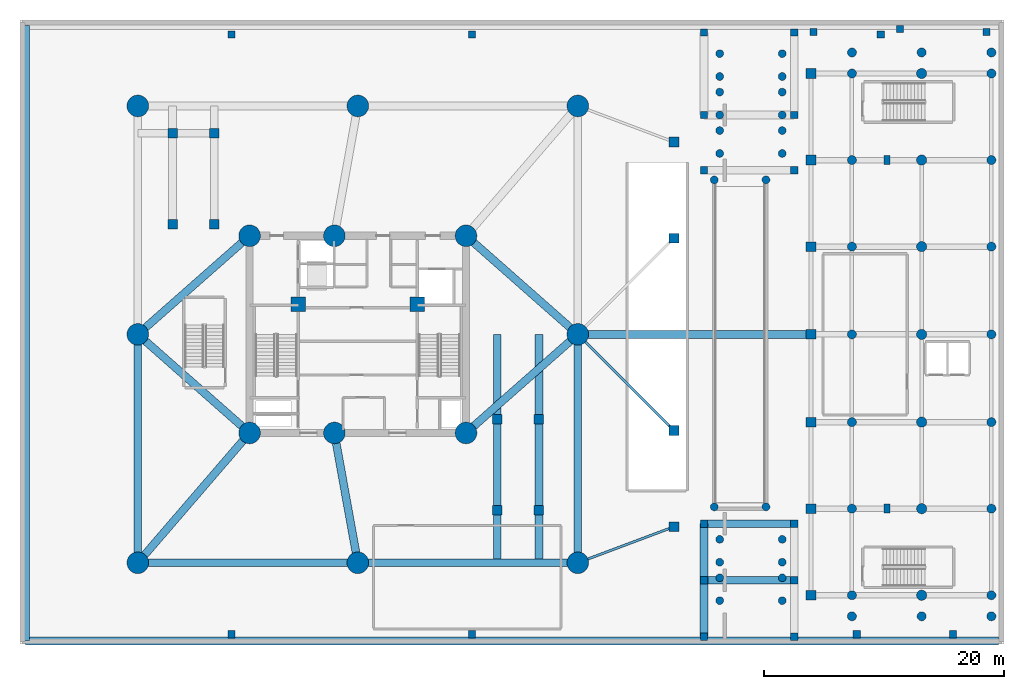
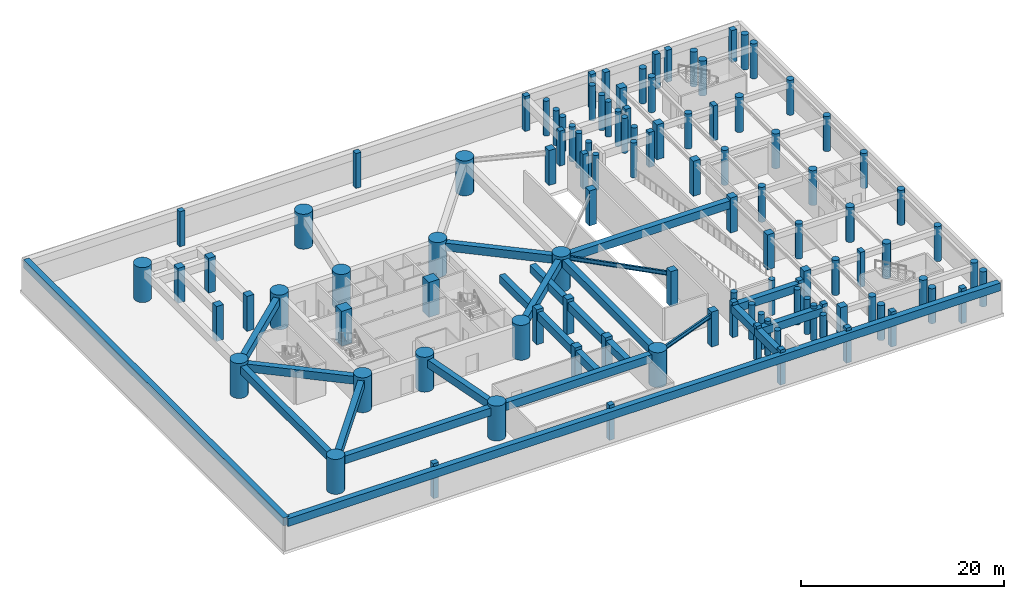
# One storey, part 1 of 11: 110 columns, 21 beams.
"""IFC4 building model written with IfcOpenShell, lengths in metres."""

from ifc_helpers import new_model, si_unit, direction, frame, origin, origin_with_axes, origin_2d, place, context, subcontext, project, spatial, rectangle, circle, i_section, extrude, source, transform, mapped, material, material_profile, profile_set, type_object, element, save


model = new_model("IFC4")

# Units and contexts
model_context = context("Model", 3, precision=1e-05, world=origin(), true_north=direction((0.0, 1.0)))
body_context = subcontext(model_context, "Body", "Model", "MODEL_VIEW")
ifc_project = project(units=[si_unit("LENGTHUNIT", "METRE"), si_unit("AREAUNIT", "SQUARE_METRE"), si_unit("VOLUMEUNIT", "CUBIC_METRE"), si_unit("PLANEANGLEUNIT", "RADIAN"), si_unit("MASSUNIT", "GRAM", prefix="KILO")], contexts=[model_context])

# Site, building, storey
site_placement = place(None, origin())
site = spatial("IfcSite", under=ifc_project, at=site_placement, CompositionType="ELEMENT")
building_placement = place(site_placement, origin())
building = spatial("IfcBuilding", under=site, at=building_placement, Name="Karkom Vertical University and Central Library", CompositionType="ELEMENT")
storey_placement = place(building_placement, frame((0.0, 0.0, -4.199951171875)))
storey = spatial("IfcBuildingStorey", under=building, at=storey_placement, Name="B01", CompositionType="ELEMENT", Elevation=-4.199951171875)

# Columns
ifc_material_1 = material(Name="Concrete C40/50", Category="concrete")
ifc_material_profile_1 = material_profile(ifc_material_1, circle(Radius=0.324951171875, at=origin_2d()), Name="RC-D650")
ifc_profile_set_1 = profile_set([ifc_material_profile_1], Name="Concrete C40/50")
column_type_1 = type_object("IfcColumnType", Name="STR-COL-C-LB3", PredefinedType="COLUMN", material=ifc_profile_set_1)
shared_shape_1 = source(origin_with_axes(), body_context, "Body", "SweptSolid", [
    extrude(circle(Radius=0.324951171875, at=origin_2d()), origin(), (0.0, 0.0, 1.0), 4.199951171875),
])
for number, where, z_axis, x_axis, name in (
    (1, (58.60009765625, 4.35009765625, 0.0), (0.0, 0.0, 1.0), (1.0, 0.0, 0.0), "Basement 01 Plaza Canopy Column 1"),
    (2, (58.60009765625, 6.25, 0.0), (0.0, 0.0, 1.0), (1.0, 0.0, 0.0), "Basement 01 Plaza Canopy Column 1"),
    (3, (63.800048828125, 4.35009765625, 0.0), (0.0, 0.0, 1.0), (1.0, 0.0, 0.0), "Basement 01 Plaza Canopy Column 1"),
    (4, (63.800048828125, 6.25, 0.0), (0.0, 0.0, 1.0), (1.0, 0.0, 0.0), "Basement 01 Plaza Canopy Column 1"),
    (5, (58.60009765625, 7.550048828125, 0.0), (0.0, 0.0, 1.0), (1.0, 0.0, 0.0), "Basement 01 Plaza Canopy Column 2"),
    (6, (58.60009765625, 9.449951171875, 0.0), (0.0, 0.0, 1.0), (1.0, 0.0, 0.0), "Basement 01 Plaza Canopy Column 2"),
    (7, (63.800048828125, 7.550048828125, 0.0), (0.0, 0.0, 1.0), (1.0, 0.0, 0.0), "Basement 01 Plaza Canopy Column 2"),
    (8, (63.800048828125, 9.449951171875, 0.0), (0.0, 0.0, 1.0), (1.0, 0.0, 0.0), "Basement 01 Plaza Canopy Column 2"),
    (9, (58.60009765625, 41.550048828125, 0.0), (0.0, 0.0, 1.0), (1.0, 0.0, 0.0), "Basement 01 Plaza Canopy Column 3"),
    (10, (58.60009765625, 43.449951171875, 0.0), (0.0, 0.0, 1.0), (1.0, 0.0, 0.0), "Basement 01 Plaza Canopy Column 3"),
    (11, (63.800048828125, 41.550048828125, 0.0), (0.0, 0.0, 1.0), (1.0, 0.0, 0.0), "Basement 01 Plaza Canopy Column 3"),
    (12, (63.800048828125, 43.449951171875, 0.0), (0.0, 0.0, 1.0), (1.0, 0.0, 0.0), "Basement 01 Plaza Canopy Column 3"),
    (13, (58.60009765625, 44.75, 0.0), (0.0, 0.0, 1.0), (1.0, 0.0, 0.0), "Basement 01 Plaza Canopy Column 4"),
    (14, (58.60009765625, 46.64990234375, 0.0), (0.0, 0.0, 1.0), (1.0, 0.0, 0.0), "Basement 01 Plaza Canopy Column 4"),
    (15, (63.800048828125, 44.75, 0.0), (0.0, 0.0, 1.0), (1.0, 0.0, 0.0), "Basement 01 Plaza Canopy Column 4"),
    (16, (63.800048828125, 46.64990234375, 0.0), (0.0, 0.0, 1.0), (1.0, 0.0, 0.0), "Basement 01 Plaza Canopy Column 4"),
    (17, (58.60009765625, 47.949951171875, 0.0), (0.0, 0.0, 1.0), (1.0, 0.0, 0.0), "Basement 01 Plaza Canopy Column 5"),
    (18, (58.60009765625, 49.85009765625, 0.0), (0.0, 0.0, 1.0), (1.0, 0.0, 0.0), "Basement 01 Plaza Canopy Column 5"),
    (19, (63.800048828125, 47.949951171875, 0.0), (0.0, 0.0, 1.0), (1.0, 0.0, 0.0), "Basement 01 Plaza Canopy Column 5"),
    (20, (63.800048828125, 49.85009765625, 0.0), (0.0, 0.0, 1.0), (1.0, 0.0, 0.0), "Basement 01 Plaza Canopy Column 5"),
    (21, (58.14990234375, 12.14990234375, 0.0), (0.0, 0.0, 1.0), (1.0, 0.0, 0.0), "Basement 01 Ramp Pavilion Support Column 1"),
    (22, (62.449951171875, 12.14990234375, 0.0), (0.0, 0.0, 1.0), (1.0, 0.0, 0.0), "Basement 01 Ramp Pavilion Support Column 2"),
    (23, (62.449951171875, 39.35009765625, 0.0), (0.0, 0.0, 1.0), (1.0, 0.0, 0.0), "Basement 01 Ramp Pavilion Support Column 3"),
    (24, (58.14990234375, 39.35009765625, 0.0), (0.0, 0.0, 1.0), (1.0, 0.0, 0.0), "Basement 01 Ramp Pavilion Support Column 4"),
):
    element("IfcColumn", number, at=place(storey_placement, frame(where, z_axis=z_axis, x_axis=x_axis)), inside=storey, type_object=column_type_1, Name=name, PredefinedType="COLUMN", context=body_context, shape_type="MappedRepresentation", body=[
        mapped(shared_shape_1, transform((0.0, 0.0, 0.0), scale=1.0)),
    ])
ifc_material_profile_2 = material_profile(ifc_material_1, circle(Radius=0.375, at=origin_2d()), Name="RC-D750")
ifc_profile_set_2 = profile_set([ifc_material_profile_2], Name="Concrete C40/50")
column_type_2 = type_object("IfcColumnType", Name="STR-COL-C-LB2", PredefinedType="COLUMN", material=ifc_profile_set_2)
shared_shape_2 = source(origin_with_axes(), body_context, "Body", "SweptSolid", [
    extrude(circle(Radius=0.375, at=origin_2d()), origin(), (0.0, 0.0, 1.0), 4.199951171875),
])
for number, where, z_axis, x_axis, name in (
    (25, (69.60009765625, 3.050048828125, 0.0), (0.0, 0.0, 1.0), (1.0, 0.0, 0.0), "Basement 01 Library Vault End Column"),
    (26, (69.60009765625, 49.949951171875, 0.0), (0.0, 0.0, 1.0), (1.0, 0.0, 0.0), "Basement 01 Library Vault End Column"),
    (27, (75.39990234375, 3.050048828125, 0.0), (0.0, 0.0, 1.0), (1.0, 0.0, 0.0), "Basement 01 Library Vault End Column"),
    (28, (75.39990234375, 49.949951171875, 0.0), (0.0, 0.0, 1.0), (1.0, 0.0, 0.0), "Basement 01 Library Vault End Column"),
    (29, (81.199951171875, 3.050048828125, 0.0), (0.0, 0.0, 1.0), (1.0, 0.0, 0.0), "Basement 01 Library Vault End Column"),
    (30, (81.199951171875, 49.949951171875, 0.0), (0.0, 0.0, 1.0), (1.0, 0.0, 0.0), "Basement 01 Library Vault End Column"),
    (31, (69.60009765625, 4.800048828125, 0.0), (0.0, 0.0, 1.0), (1.0, 0.0, 0.0), "Basement 01 Central Library Column LC-1-1"),
    (32, (69.60009765625, 12.0, 0.0), (0.0, 0.0, 1.0), (1.0, 0.0, 0.0), "Basement 01 Central Library Column LC-1-2"),
    (33, (69.60009765625, 19.199951171875, 0.0), (0.0, 0.0, 1.0), (1.0, 0.0, 0.0), "Basement 01 Central Library Column LC-1-3"),
    (34, (69.60009765625, 26.5, 0.0), (0.0, 0.0, 1.0), (1.0, 0.0, 0.0), "Basement 01 Central Library Column LC-1-4"),
    (35, (69.60009765625, 33.800048828125, 0.0), (0.0, 0.0, 1.0), (1.0, 0.0, 0.0), "Basement 01 Central Library Column LC-1-5"),
    (36, (69.60009765625, 41.0, 0.0), (0.0, 0.0, 1.0), (1.0, 0.0, 0.0), "Basement 01 Central Library Column LC-1-6"),
    (37, (69.60009765625, 48.199951171875, 0.0), (0.0, 0.0, 1.0), (1.0, 0.0, 0.0), "Basement 01 Central Library Column LC-1-7"),
    (38, (81.199951171875, 4.800048828125, 0.0), (0.0, 0.0, 1.0), (1.0, 0.0, 0.0), "Basement 01 Central Library Column LC-3-1"),
    (39, (81.199951171875, 12.0, 0.0), (0.0, 0.0, 1.0), (1.0, 0.0, 0.0), "Basement 01 Central Library Column LC-3-2"),
    (40, (81.199951171875, 19.199951171875, 0.0), (0.0, 0.0, 1.0), (1.0, 0.0, 0.0), "Basement 01 Central Library Column LC-3-3"),
    (41, (81.199951171875, 26.5, 0.0), (0.0, 0.0, 1.0), (1.0, 0.0, 0.0), "Basement 01 Central Library Column LC-3-4"),
    (42, (81.199951171875, 33.800048828125, 0.0), (0.0, 0.0, 1.0), (1.0, 0.0, 0.0), "Basement 01 Central Library Column LC-3-5"),
    (43, (81.199951171875, 41.0, 0.0), (0.0, 0.0, 1.0), (1.0, 0.0, 0.0), "Basement 01 Central Library Column LC-3-6"),
    (44, (81.199951171875, 48.199951171875, 0.0), (0.0, 0.0, 1.0), (1.0, 0.0, 0.0), "Basement 01 Central Library Column LC-3-7"),
):
    element("IfcColumn", number, at=place(storey_placement, frame(where, z_axis=z_axis, x_axis=x_axis)), inside=storey, type_object=column_type_2, Name=name, PredefinedType="COLUMN", context=body_context, shape_type="MappedRepresentation", body=[
        mapped(shared_shape_2, transform((0.0, 0.0, 0.0), scale=1.0)),
    ])
ifc_material_2 = material(Name="Concrete C45/55", Category="concrete")
ifc_material_profile_3 = material_profile(ifc_material_2, rectangle(XDim=0.800048828125, YDim=0.800048828125, at=origin_2d()), Name="RC-800x800")
ifc_profile_set_3 = profile_set([ifc_material_profile_3], Name="Concrete C45/55")
column_type_3 = type_object("IfcColumnType", Name="STR-COL-C-LC1", PredefinedType="COLUMN", material=ifc_profile_set_3)
shared_shape_3 = source(origin_with_axes(), body_context, "Body", "SweptSolid", [
    extrude(rectangle(XDim=0.800048828125, YDim=0.800048828125, at=origin_2d()), origin(), (0.0, 0.0, 1.0), 4.199951171875),
])
for number, where, z_axis, x_axis, name in (
    (45, (40.094970703125, 11.875, 0.0), (0.0, 0.0, 1.0), (1.0, 0.0, 0.0), "Basement 01 Podium Stairwell Support Column"),
    (46, (43.56494140625, 11.875, 0.0), (0.0, 0.0, 1.0), (1.0, 0.0, 0.0), "Basement 01 Podium Stairwell Support Column"),
    (47, (40.094970703125, 19.43505859375, 0.0), (0.0, 0.0, 1.0), (1.0, 0.0, 0.0), "Basement 01 Podium Stairwell Support Column"),
    (48, (43.56494140625, 19.43505859375, 0.0), (0.0, 0.0, 1.0), (1.0, 0.0, 0.0), "Basement 01 Podium Stairwell Support Column"),
    (49, (13.094970703125, 35.675048828125, 0.0), (0.0, 0.0, 1.0), (1.0, 0.0, 0.0), "Basement 01 Podium Stairwell Support Column"),
    (50, (16.56494140625, 35.675048828125, 0.0), (0.0, 0.0, 1.0), (1.0, 0.0, 0.0), "Basement 01 Podium Stairwell Support Column"),
    (51, (13.094970703125, 43.235107421875, 0.0), (0.0, 0.0, 1.0), (1.0, 0.0, 0.0), "Basement 01 Podium Stairwell Support Column"),
    (52, (16.56494140625, 43.235107421875, 0.0), (0.0, 0.0, 1.0), (1.0, 0.0, 0.0), "Basement 01 Podium Stairwell Support Column"),
    (53, (54.800048828125, 10.5, 0.0), (0.0, 0.0, 1.0), (1.0, 0.0, 0.0), "Basement 01 Podium Arcade Pilaster PIL-1"),
    (54, (54.800048828125, 18.5, 0.0), (0.0, 0.0, 1.0), (1.0, 0.0, 0.0), "Basement 01 Podium Arcade Pilaster PIL-2"),
    (55, (54.800048828125, 34.5, 0.0), (0.0, 0.0, 1.0), (1.0, 0.0, 0.0), "Basement 01 Podium Arcade Pilaster PIL-3"),
    (56, (54.800048828125, 42.5, 0.0), (0.0, 0.0, 1.0), (1.0, 0.0, 0.0), "Basement 01 Podium Arcade Pilaster PIL-4"),
    (57, (66.199951171875, 4.800048828125, 0.0), (0.0, 0.0, 1.0), (1.0, 0.0, 0.0), "Basement 01 Central Library Column LC-0-1"),
    (58, (66.199951171875, 12.0, 0.0), (0.0, 0.0, 1.0), (1.0, 0.0, 0.0), "Basement 01 Central Library Column LC-0-2"),
    (59, (66.199951171875, 19.199951171875, 0.0), (0.0, 0.0, 1.0), (1.0, 0.0, 0.0), "Basement 01 Central Library Column LC-0-3"),
    (60, (66.199951171875, 26.5, 0.0), (0.0, 0.0, 1.0), (1.0, 0.0, 0.0), "Basement 01 Central Library Column LC-0-4"),
    (61, (66.199951171875, 33.800048828125, 0.0), (0.0, 0.0, 1.0), (1.0, 0.0, 0.0), "Basement 01 Central Library Column LC-0-5"),
    (62, (66.199951171875, 41.0, 0.0), (0.0, 0.0, 1.0), (1.0, 0.0, 0.0), "Basement 01 Central Library Column LC-0-6"),
    (63, (66.199951171875, 48.199951171875, 0.0), (0.0, 0.0, 1.0), (1.0, 0.0, 0.0), "Basement 01 Central Library Column LC-0-7"),
):
    element("IfcColumn", number, at=place(storey_placement, frame(where, z_axis=z_axis, x_axis=x_axis)), inside=storey, type_object=column_type_3, Name=name, PredefinedType="COLUMN", context=body_context, shape_type="MappedRepresentation", body=[
        mapped(shared_shape_3, transform((0.0, 0.0, 0.0), scale=1.0)),
    ])
ifc_material_profile_4 = material_profile(ifc_material_1, rectangle(XDim=0.60009765625, YDim=0.60009765625, at=origin_2d()), Name="RC-600x600")
ifc_profile_set_4 = profile_set([ifc_material_profile_4], Name="Concrete C40/50")
column_type_4 = type_object("IfcColumnType", Name="STR-COL-C-LC2", PredefinedType="COLUMN", material=ifc_profile_set_4)
shared_shape_4 = source(origin_with_axes(), body_context, "Body", "SweptSolid", [
    extrude(rectangle(XDim=0.60009765625, YDim=0.60009765625, at=origin_2d()), origin(), (0.0, 0.0, 1.0), 4.199951171875),
])
for number, where, z_axis, x_axis, name in (
    (64, (18.0, 1.550048828125, 0.0), (0.0, 0.0, 1.0), (1.0, 0.0, 0.0), "Basement 01 Forecourt Promenade Support Column"),
    (65, (38.0, 1.550048828125, 0.0), (0.0, 0.0, 1.0), (1.0, 0.0, 0.0), "Basement 01 Forecourt Promenade Support Column"),
    (66, (70.0, 1.550048828125, 0.0), (0.0, 0.0, 1.0), (1.0, 0.0, 0.0), "Basement 01 Forecourt Promenade Support Column"),
    (67, (78.0, 1.550048828125, 0.0), (0.0, 0.0, 1.0), (1.0, 0.0, 0.0), "Basement 01 Forecourt Promenade Support Column"),
    (68, (18.0, 51.449951171875, 0.0), (0.0, 0.0, 1.0), (1.0, 0.0, 0.0), "Basement 01 Forecourt Promenade Support Column"),
    (69, (38.0, 51.449951171875, 0.0), (0.0, 0.0, 1.0), (1.0, 0.0, 0.0), "Basement 01 Forecourt Promenade Support Column"),
    (70, (72.0, 51.449951171875, 0.0), (0.0, 0.0, 1.0), (1.0, 0.0, 0.0), "Basement 01 Forecourt Promenade Support Column"),
    (71, (57.300048828125, 1.35009765625, 0.0), (0.0, 0.0, 1.0), (1.0, 0.0, 0.0), "Basement 01 Forecourt Substructure Column"),
    (72, (57.300048828125, 6.050048828125, 0.0), (0.0, 0.0, 1.0), (1.0, 0.0, 0.0), "Basement 01 Forecourt Substructure Column"),
    (73, (57.300048828125, 10.75, 0.0), (0.0, 0.0, 1.0), (1.0, 0.0, 0.0), "Basement 01 Forecourt Substructure Column"),
    (74, (57.300048828125, 40.14990234375, 0.0), (0.0, 0.0, 1.0), (1.0, 0.0, 0.0), "Basement 01 Forecourt Substructure Column"),
    (75, (57.300048828125, 44.75, 0.0), (0.0, 0.0, 1.0), (1.0, 0.0, 0.0), "Basement 01 Forecourt Substructure Column"),
    (76, (57.300048828125, 51.60009765625, 0.0), (0.0, 0.0, 1.0), (1.0, 0.0, 0.0), "Basement 01 Forecourt Substructure Column"),
    (77, (64.800048828125, 1.35009765625, 0.0), (0.0, 0.0, 1.0), (1.0, 0.0, 0.0), "Basement 01 Forecourt Substructure Column"),
    (78, (64.800048828125, 6.050048828125, 0.0), (0.0, 0.0, 1.0), (1.0, 0.0, 0.0), "Basement 01 Forecourt Substructure Column"),
    (79, (64.800048828125, 10.75, 0.0), (0.0, 0.0, 1.0), (1.0, 0.0, 0.0), "Basement 01 Forecourt Substructure Column"),
    (80, (64.800048828125, 40.14990234375, 0.0), (0.0, 0.0, 1.0), (1.0, 0.0, 0.0), "Basement 01 Forecourt Substructure Column"),
    (81, (64.800048828125, 44.75, 0.0), (0.0, 0.0, 1.0), (1.0, 0.0, 0.0), "Basement 01 Forecourt Substructure Column"),
    (82, (64.800048828125, 51.60009765625, 0.0), (0.0, 0.0, 1.0), (1.0, 0.0, 0.0), "Basement 01 Forecourt Substructure Column"),
):
    element("IfcColumn", number, at=place(storey_placement, frame(where, z_axis=z_axis, x_axis=x_axis)), inside=storey, type_object=column_type_4, Name=name, PredefinedType="COLUMN", context=body_context, shape_type="MappedRepresentation", body=[
        mapped(shared_shape_4, transform((0.0, 0.0, 0.0), scale=1.0)),
    ])
ifc_material_3 = material(Name="Concrete C50/60", Category="concrete")
ifc_material_profile_5 = material_profile(ifc_material_3, circle(Radius=0.89990234375, at=origin_2d()), Name="CFT-D1800")
ifc_profile_set_5 = profile_set([ifc_material_profile_5], Name="Concrete C50/60")
column_type_5 = type_object("IfcColumnType", Name="STR-COL-C-SC1", PredefinedType="COLUMN", material=ifc_profile_set_5)
shared_shape_5 = source(origin_with_axes(), body_context, "Body", "SweptSolid", [
    extrude(circle(Radius=0.89990234375, at=origin_2d()), origin(), (0.0, 0.0, 1.0), 4.199951171875),
])
for number, where, z_axis, x_axis, name in (
    (83, (19.5, 18.300048828125, 0.0), (0.0, 0.0, 1.0), (1.0, 0.0, 0.0), "Basement 01 Spine Mega-Column SC-1"),
    (84, (26.550048828125, 18.300048828125, 0.0), (0.0, 0.0, 1.0), (1.0, 0.0, 0.0), "Basement 01 Spine Mega-Column SC-2"),
    (85, (37.5, 18.300048828125, 0.0), (0.0, 0.0, 1.0), (1.0, 0.0, 0.0), "Basement 01 Spine Mega-Column SC-3"),
    (86, (19.5, 34.699951171875, 0.0), (0.0, 0.0, 1.0), (1.0, 0.0, 0.0), "Basement 01 Spine Mega-Column SC-4"),
    (87, (26.550048828125, 34.699951171875, 0.0), (0.0, 0.0, 1.0), (1.0, 0.0, 0.0), "Basement 01 Spine Mega-Column SC-5"),
    (88, (37.5, 34.699951171875, 0.0), (0.0, 0.0, 1.0), (1.0, 0.0, 0.0), "Basement 01 Spine Mega-Column SC-6"),
    (89, (10.199951171875, 7.5, 0.0), (0.0, 0.0, 1.0), (1.0, 0.0, 0.0), "Basement 01 Podium Mega-Column PMC-1"),
    (90, (28.5, 7.5, 0.0), (0.0, 0.0, 1.0), (1.0, 0.0, 0.0), "Basement 01 Podium Mega-Column PMC-2"),
    (91, (46.800048828125, 7.5, 0.0), (0.0, 0.0, 1.0), (1.0, 0.0, 0.0), "Basement 01 Podium Mega-Column PMC-3"),
    (92, (10.199951171875, 26.5, 0.0), (0.0, 0.0, 1.0), (1.0, 0.0, 0.0), "Basement 01 Podium Mega-Column PMC-4"),
    (93, (46.800048828125, 26.5, 0.0), (0.0, 0.0, 1.0), (1.0, 0.0, 0.0), "Basement 01 Podium Mega-Column PMC-5"),
    (94, (10.199951171875, 45.5, 0.0), (0.0, 0.0, 1.0), (1.0, 0.0, 0.0), "Basement 01 Podium Mega-Column PMC-6"),
    (95, (28.5, 45.5, 0.0), (0.0, 0.0, 1.0), (1.0, 0.0, 0.0), "Basement 01 Podium Mega-Column PMC-7"),
    (96, (46.800048828125, 45.5, 0.0), (0.0, 0.0, 1.0), (1.0, 0.0, 0.0), "Basement 01 Podium Mega-Column PMC-8"),
):
    element("IfcColumn", number, at=place(storey_placement, frame(where, z_axis=z_axis, x_axis=x_axis)), inside=storey, type_object=column_type_5, Name=name, PredefinedType="COLUMN", context=body_context, shape_type="MappedRepresentation", body=[
        mapped(shared_shape_5, transform((0.0, 0.0, 0.0), scale=1.0)),
    ])
ifc_material_profile_6 = material_profile(ifc_material_3, rectangle(XDim=1.199951171875, YDim=1.199951171875, at=origin_2d()), Name="RC-1200x1200")
ifc_profile_set_6 = profile_set([ifc_material_profile_6], Name="Concrete C50/60")
column_type_6 = type_object("IfcColumnType", Name="STR-COL-C-CC1", PredefinedType="COLUMN", material=ifc_profile_set_6)
shared_shape_6 = source(origin_with_axes(), body_context, "Body", "SweptSolid", [
    extrude(rectangle(XDim=1.199951171875, YDim=1.199951171875, at=origin_2d()), origin(), (0.0, 0.0, 1.0), 4.199951171875),
])
for number, where, z_axis, x_axis, name in (
    (97, (23.550048828125, 29.0, 0.0), (0.0, 0.0, 1.0), (1.0, 0.0, 0.0), "Basement 01 Core Node Column CC-1"),
    (98, (33.449951171875, 29.0, 0.0), (0.0, 0.0, 1.0), (1.0, 0.0, 0.0), "Basement 01 Core Node Column CC-2"),
):
    element("IfcColumn", number, at=place(storey_placement, frame(where, z_axis=z_axis, x_axis=x_axis)), inside=storey, type_object=column_type_6, Name=name, PredefinedType="COLUMN", context=body_context, shape_type="MappedRepresentation", body=[
        mapped(shared_shape_6, transform((0.0, 0.0, 0.0), scale=1.0)),
    ])
ifc_material_profile_7 = material_profile(ifc_material_2, circle(Radius=0.425048828125, at=origin_2d()), Name="RC-D850")
ifc_profile_set_7 = profile_set([ifc_material_profile_7], Name="Concrete C45/55")
column_type_7 = type_object("IfcColumnType", Name="STR-COL-C-LB1", PredefinedType="COLUMN", material=ifc_profile_set_7)
shared_shape_7 = source(origin_with_axes(), body_context, "Body", "SweptSolid", [
    extrude(circle(Radius=0.425048828125, at=origin_2d()), origin(), (0.0, 0.0, 1.0), 4.199951171875),
])
for number, where, z_axis, x_axis, name in (
    (99, (75.39990234375, 4.800048828125, 0.0), (0.0, 0.0, 1.0), (1.0, 0.0, 0.0), "Basement 01 Central Library Column LC-2-1"),
    (100, (75.39990234375, 12.0, 0.0), (0.0, 0.0, 1.0), (1.0, 0.0, 0.0), "Basement 01 Central Library Column LC-2-2"),
    (101, (75.39990234375, 19.199951171875, 0.0), (0.0, 0.0, 1.0), (1.0, 0.0, 0.0), "Basement 01 Central Library Column LC-2-3"),
    (102, (75.39990234375, 26.5, 0.0), (0.0, 0.0, 1.0), (1.0, 0.0, 0.0), "Basement 01 Central Library Column LC-2-4"),
    (103, (75.39990234375, 33.800048828125, 0.0), (0.0, 0.0, 1.0), (1.0, 0.0, 0.0), "Basement 01 Central Library Column LC-2-5"),
    (104, (75.39990234375, 41.0, 0.0), (0.0, 0.0, 1.0), (1.0, 0.0, 0.0), "Basement 01 Central Library Column LC-2-6"),
    (105, (75.39990234375, 48.199951171875, 0.0), (0.0, 0.0, 1.0), (1.0, 0.0, 0.0), "Basement 01 Central Library Column LC-2-7"),
):
    element("IfcColumn", number, at=place(storey_placement, frame(where, z_axis=z_axis, x_axis=x_axis)), inside=storey, type_object=column_type_7, Name=name, PredefinedType="COLUMN", context=body_context, shape_type="MappedRepresentation", body=[
        mapped(shared_shape_7, transform((0.0, 0.0, 0.0), scale=1.0)),
    ])
ifc_material_4 = material(Name="Precast concrete C45/55", Category="concrete")
ifc_material_profile_8 = material_profile(ifc_material_4, rectangle(XDim=0.5, YDim=0.75, at=origin_2d()), Name="PIL-500x750")
ifc_profile_set_8 = profile_set([ifc_material_profile_8], Name="Precast concrete C45/55")
column_type_8 = type_object("IfcColumnType", Name="STR-COL-PL-SKG1", PredefinedType="PILASTER", material=ifc_profile_set_8)
shared_shape_8 = source(origin_with_axes(), body_context, "Body", "SweptSolid", [
    extrude(rectangle(XDim=0.5, YDim=0.75, at=origin_2d()), origin(), (0.0, 0.0, 1.0), 4.199951171875),
])
for number, where, z_axis, x_axis, name in (
    (106, (72.5, 12.0, 0.0), (0.0, 0.0, 1.0), (1.0, 0.0, 0.0), "Basement 01 Library Reading Hall Pier Pilaster 1"),
    (107, (72.5, 41.0, 0.0), (0.0, 0.0, 1.0), (1.0, 0.0, 0.0), "Basement 01 Library Reading Hall Pier Pilaster 2"),
):
    element("IfcColumn", number, at=place(storey_placement, frame(where, z_axis=z_axis, x_axis=x_axis)), inside=storey, type_object=column_type_8, Name=name, PredefinedType="PILASTER", context=body_context, shape_type="MappedRepresentation", body=[
        mapped(shared_shape_8, transform((0.0, 0.0, 0.0), scale=1.0)),
    ])
shared_shape_9 = source(origin_with_axes(), body_context, "Body", "SweptSolid", [
    extrude(rectangle(XDim=0.60009765625, YDim=0.60009765625, at=origin_2d()), origin(), (0.0, 0.0, 1.0), 3.85986328125),
])
for number, where, z_axis, x_axis, name in (
    (108, (66.39990234375, 51.64990234375, 0.0), (0.0, 0.0, 1.0), (1.0, 0.0, 0.0), "Basement 01 North Library Forecourt Pier 1"),
    (109, (73.60009765625, 51.89990234375, 0.0), (0.0, 0.0, 1.0), (1.0, 0.0, 0.0), "Basement 01 North Library Forecourt Pier 2"),
    (110, (80.800048828125, 51.64990234375, 0.0), (0.0, 0.0, 1.0), (1.0, 0.0, 0.0), "Basement 01 North Library Forecourt Pier 3"),
):
    element("IfcColumn", number, at=place(storey_placement, frame(where, z_axis=z_axis, x_axis=x_axis)), inside=storey, type_object=column_type_4, Name=name, PredefinedType="COLUMN", context=body_context, shape_type="MappedRepresentation", body=[
        mapped(shared_shape_9, transform((0.0, 0.0, 0.0), scale=1.0)),
    ])

# Beams
ifc_material_profile_9 = material_profile(ifc_material_3, rectangle(XDim=0.64990234375, YDim=0.949951171875, at=origin_2d()), Name="RCG-650x950")
ifc_profile_set_9 = profile_set([ifc_material_profile_9], Name="Concrete C50/60")
beam_type_1 = type_object("IfcBeamType", Name="STR-BM-BG-1", PredefinedType="USERDEFINED", material=ifc_profile_set_9)
shared_shape_10 = source(origin_with_axes(), body_context, "Body", "SweptSolid", [
    extrude(rectangle(XDim=0.64990234375, YDim=0.949951171875, at=origin_2d()), origin(), (0.0, 0.0, 1.0), 18.300048828125),
])
for number, where, z_axis, x_axis, name in (
    (111, (10.199951171875, 7.5, 3.375), (1.0, 0.0, 0.0), (0.0, 1.0, 0.0), "Basement 01 Podium Primary Girder 01"),
    (112, (28.5, 7.5, 3.375), (1.0, 0.0, 0.0), (0.0, 1.0, 0.0), "Basement 01 Podium Primary Girder 02"),
):
    element("IfcBeam", number, at=place(storey_placement, frame(where, z_axis=z_axis, x_axis=x_axis)), inside=storey, type_object=beam_type_1, Name=name, ObjectType="GIRDER", PredefinedType="USERDEFINED", context=body_context, shape_type="MappedRepresentation", body=[
        mapped(shared_shape_10, transform((0.0, 0.0, 0.0), scale=1.0)),
    ])
shared_shape_11 = source(origin_with_axes(), body_context, "Body", "SweptSolid", [
    extrude(rectangle(XDim=0.64990234375, YDim=0.949951171875, at=origin_2d()), origin(), (0.0, 0.0, 1.0), 19.0),
])
for number, where, z_axis, x_axis, name in (
    (113, (10.199951171875, 7.5, 3.375), (0.0, 1.0, 0.0), (-1.0, 0.0, 0.0), "Basement 01 Podium Primary Girder 03"),
    (114, (46.800048828125, 7.5, 3.375), (0.0, 1.0, 0.0), (-1.0, 0.0, 0.0), "Basement 01 Podium Primary Girder 05"),
    (115, (40.094970703125, 7.5, 3.375), (0.0, 1.0, 0.0), (-1.0, 0.0, 0.0), "Basement 01 Podium Stair POD1 West Transfer Girder"),
    (116, (43.56494140625, 7.5, 3.375), (0.0, 1.0, 0.0), (-1.0, 0.0, 0.0), "Basement 01 Podium Stair POD1 East Transfer Girder"),
):
    element("IfcBeam", number, at=place(storey_placement, frame(where, z_axis=z_axis, x_axis=x_axis)), inside=storey, type_object=beam_type_1, Name=name, ObjectType="GIRDER", PredefinedType="USERDEFINED", context=body_context, shape_type="MappedRepresentation", body=[
        mapped(shared_shape_11, transform((0.0, 0.0, 0.0), scale=1.0)),
    ])
shared_shape_12 = source(origin_with_axes(), body_context, "Body", "SweptSolid", [
    extrude(rectangle(XDim=0.64990234375, YDim=0.949951171875, at=origin_2d()), origin(), (0.0, 0.0, 1.0), 14.25244140625),
])
beam_1_placement = place(storey_placement, frame((10.199951171875, 7.5, 3.375), z_axis=(0.652523408586, 0.757768567076, 0.0), x_axis=(-0.757768567076, 0.652523408586, 0.0)))
element("IfcBeam", 117, at=beam_1_placement, inside=storey, type_object=beam_type_1, Name="Basement 01 Podium Primary Girder 09", ObjectType="GIRDER", PredefinedType="USERDEFINED", context=body_context, shape_type="MappedRepresentation", body=[
    mapped(shared_shape_12, transform((0.0, 0.0, 0.0), scale=1.0)),
])
shared_shape_13 = source(origin_with_axes(), body_context, "Body", "SweptSolid", [
    extrude(rectangle(XDim=0.64990234375, YDim=0.949951171875, at=origin_2d()), origin(), (0.0, 0.0, 1.0), 10.974609375),
])
beam_2_placement = place(storey_placement, frame((28.5, 7.5, 3.375), z_axis=(-0.177677443813, 0.984088779511, 0.0), x_axis=(-0.984088779511, -0.177677443813, 0.0)))
element("IfcBeam", 118, at=beam_2_placement, inside=storey, type_object=beam_type_1, Name="Basement 01 Podium Primary Girder 10", ObjectType="GIRDER", PredefinedType="USERDEFINED", context=body_context, shape_type="MappedRepresentation", body=[
    mapped(shared_shape_13, transform((0.0, 0.0, 0.0), scale=1.0)),
])
shared_shape_14 = source(origin_with_axes(), body_context, "Body", "SweptSolid", [
    extrude(rectangle(XDim=0.64990234375, YDim=0.949951171875, at=origin_2d()), origin(), (0.0, 0.0, 1.0), 12.398681640625),
])
for number, where, z_axis, x_axis, name in (
    (119, (10.199951171875, 26.5, 3.375), (0.75007685274, -0.661350674743, 0.0), (0.661350674743, 0.75007685274, 0.0), "Basement 01 Podium Primary Girder 15"),
    (120, (10.199951171875, 26.5, 3.375), (0.75007685274, 0.661350674743, 0.0), (-0.661350674743, 0.75007685274, 0.0), "Basement 01 Podium Primary Girder 16"),
    (121, (46.800048828125, 26.5, 3.375), (-0.75007685274, -0.661350674743, 0.0), (0.661350674743, -0.75007685274, 0.0), "Basement 01 Podium Primary Girder 17"),
    (122, (46.800048828125, 26.5, 3.375), (-0.75007685274, 0.661350674743, 0.0), (-0.661350674743, -0.75007685274, 0.0), "Basement 01 Podium Primary Girder 18"),
):
    element("IfcBeam", number, at=place(storey_placement, frame(where, z_axis=z_axis, x_axis=x_axis)), inside=storey, type_object=beam_type_1, Name=name, ObjectType="GIRDER", PredefinedType="USERDEFINED", context=body_context, shape_type="MappedRepresentation", body=[
        mapped(shared_shape_14, transform((0.0, 0.0, 0.0), scale=1.0)),
    ])
ifc_material_5 = material(Name="Steel S355", Category="steel")
ifc_material_profile_10 = material_profile(ifc_material_5, i_section(OverallWidth=0.199951171875, OverallDepth=0.5, WebThickness=0.01025390625, FlangeThickness=0.01611328125, FilletRadius=0.02099609375, at=origin_2d()), Name="IPE 500")
ifc_profile_set_10 = profile_set([ifc_material_profile_10], Name="Steel S355")
beam_type_2 = type_object("IfcBeamType", Name="STR-BM-SB-IPE500", PredefinedType="BEAM", material=ifc_profile_set_10)
shared_shape_15 = source(origin_with_axes(), body_context, "Body", "SweptSolid", [
    extrude(i_section(OverallWidth=0.199951171875, OverallDepth=0.5, WebThickness=0.01025390625, FlangeThickness=0.01611328125, FilletRadius=0.02099609375, at=origin_2d()), origin(), (0.0, 0.0, 1.0), 8.5439453125),
])
beam_3_placement = place(storey_placement, frame((46.800048828125, 7.5, 3.599853515625), z_axis=(0.936329177569, 0.351123441588, 0.0), x_axis=(-0.351123441588, 0.936329177569, 0.0)))
element("IfcBeam", 123, at=beam_3_placement, inside=storey, type_object=beam_type_2, Name="Basement 01 Arcade Tie Beam 1", PredefinedType="BEAM", context=body_context, shape_type="MappedRepresentation", body=[
    mapped(shared_shape_15, transform((0.0, 0.0, 0.0), scale=1.0)),
])
shared_shape_16 = source(origin_with_axes(), body_context, "Body", "SweptSolid", [
    extrude(i_section(OverallWidth=0.199951171875, OverallDepth=0.5, WebThickness=0.01025390625, FlangeThickness=0.01611328125, FilletRadius=0.02099609375, at=origin_2d()), origin(), (0.0, 0.0, 1.0), 11.313720703125),
])
beam_4_placement = place(storey_placement, frame((46.800048828125, 26.5, 3.599853515625), z_axis=(0.707106781187, -0.707106781187, 0.0), x_axis=(0.707106781187, 0.707106781187, 0.0)))
element("IfcBeam", 124, at=beam_4_placement, inside=storey, type_object=beam_type_2, Name="Basement 01 Arcade Tie Beam 2", PredefinedType="BEAM", context=body_context, shape_type="MappedRepresentation", body=[
    mapped(shared_shape_16, transform((0.0, 0.0, 0.0), scale=1.0)),
])
shared_shape_17 = source(origin_with_axes(), body_context, "Body", "SweptSolid", [
    extrude(rectangle(XDim=0.64990234375, YDim=0.949951171875, at=origin_2d()), origin(), (0.0, 0.0, 1.0), 19.39990234375),
])
beam_5_placement = place(storey_placement, frame((46.800048828125, 26.5, 3.375), z_axis=(1.0, 0.0, 0.0), x_axis=(0.0, 1.0, 0.0)))
element("IfcBeam", 125, at=beam_5_placement, inside=storey, type_object=beam_type_1, Name="Basement 01 Substructure Tie Girder 2", ObjectType="GIRDER", PredefinedType="USERDEFINED", context=body_context, shape_type="MappedRepresentation", body=[
    mapped(shared_shape_17, transform((0.0, 0.0, 0.0), scale=1.0)),
])
shared_shape_18 = source(origin_with_axes(), body_context, "Body", "SweptSolid", [
    extrude(rectangle(XDim=0.64990234375, YDim=0.949951171875, at=origin_2d()), origin(), (0.0, 0.0, 1.0), 51.199951171875),
])
beam_6_placement = place(storey_placement, frame((0.85009765625, 1.0, 3.375), z_axis=(0.0, 1.0, 0.0), x_axis=(-1.0, 0.0, 0.0)))
element("IfcBeam", 126, at=beam_6_placement, inside=storey, type_object=beam_type_1, Name="Basement 01 West Perimeter Rim Girder", ObjectType="GIRDER", PredefinedType="USERDEFINED", context=body_context, shape_type="MappedRepresentation", body=[
    mapped(shared_shape_18, transform((0.0, 0.0, 0.0), scale=1.0)),
])
shared_shape_19 = source(origin_with_axes(), body_context, "Body", "SweptSolid", [
    extrude(rectangle(XDim=0.64990234375, YDim=0.949951171875, at=origin_2d()), origin(), (0.0, 0.0, 1.0), 80.949951171875),
])
beam_7_placement = place(storey_placement, frame((0.85009765625, 1.0, 3.375), z_axis=(1.0, 0.0, 0.0), x_axis=(0.0, 1.0, 0.0)))
element("IfcBeam", 127, at=beam_7_placement, inside=storey, type_object=beam_type_1, Name="Basement 01 South Perimeter Rim Girder", ObjectType="GIRDER", PredefinedType="USERDEFINED", context=body_context, shape_type="MappedRepresentation", body=[
    mapped(shared_shape_19, transform((0.0, 0.0, 0.0), scale=1.0)),
])
shared_shape_20 = source(origin_with_axes(), body_context, "Body", "SweptSolid", [
    extrude(rectangle(XDim=0.64990234375, YDim=0.949951171875, at=origin_2d()), origin(), (0.0, 0.0, 1.0), 4.699951171875),
])
for number, where, z_axis, x_axis, name in (
    (128, (57.300048828125, 1.35009765625, 3.375), (0.0, 1.0, 0.0), (-1.0, 0.0, 0.0), "Basement 01 Forecourt Longitudinal Girder 1.1"),
    (129, (57.300048828125, 6.050048828125, 3.375), (0.0, 1.0, 0.0), (-1.0, 0.0, 0.0), "Basement 01 Forecourt Longitudinal Girder 1.2"),
):
    element("IfcBeam", number, at=place(storey_placement, frame(where, z_axis=z_axis, x_axis=x_axis)), inside=storey, type_object=beam_type_1, Name=name, ObjectType="GIRDER", PredefinedType="USERDEFINED", context=body_context, shape_type="MappedRepresentation", body=[
        mapped(shared_shape_20, transform((0.0, 0.0, 0.0), scale=1.0)),
    ])
shared_shape_21 = source(origin_with_axes(), body_context, "Body", "SweptSolid", [
    extrude(rectangle(XDim=0.64990234375, YDim=0.949951171875, at=origin_2d()), origin(), (0.0, 0.0, 1.0), 7.5),
])
for number, where, z_axis, x_axis, name in (
    (130, (57.300048828125, 6.050048828125, 3.375), (1.0, 0.0, 0.0), (0.0, 1.0, 0.0), "Basement 01 Forecourt Transverse Girder 2"),
    (131, (57.300048828125, 10.75, 3.375), (1.0, 0.0, 0.0), (0.0, 1.0, 0.0), "Basement 01 Forecourt Transverse Girder 3"),
):
    element("IfcBeam", number, at=place(storey_placement, frame(where, z_axis=z_axis, x_axis=x_axis)), inside=storey, type_object=beam_type_1, Name=name, ObjectType="GIRDER", PredefinedType="USERDEFINED", context=body_context, shape_type="MappedRepresentation", body=[
        mapped(shared_shape_21, transform((0.0, 0.0, 0.0), scale=1.0)),
    ])

save(model, "model.ifc")
